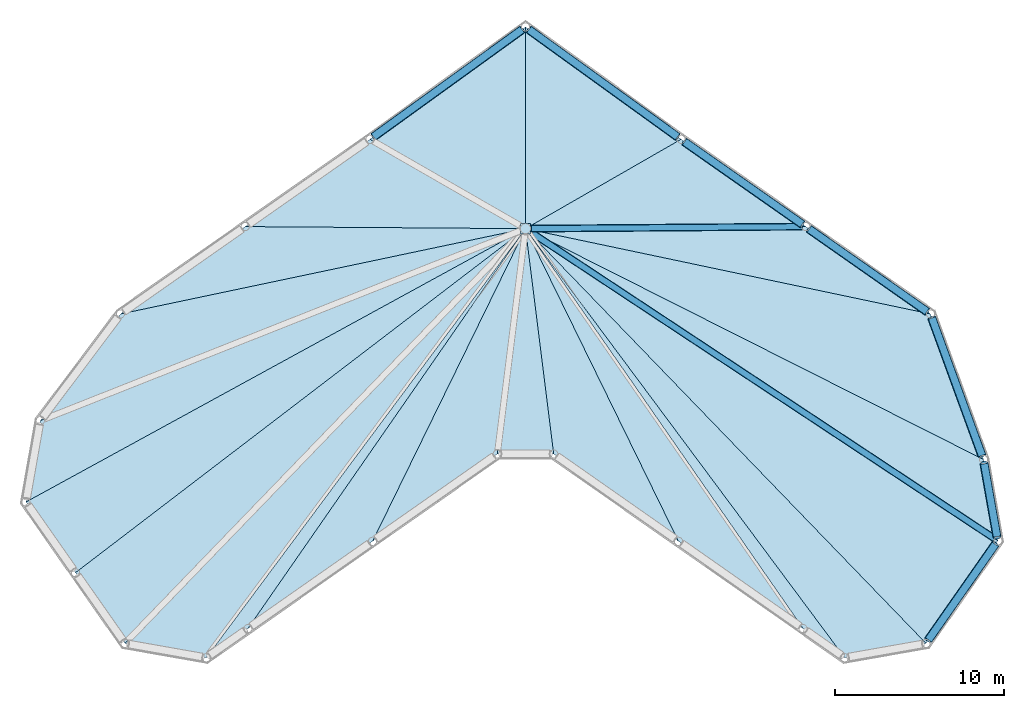
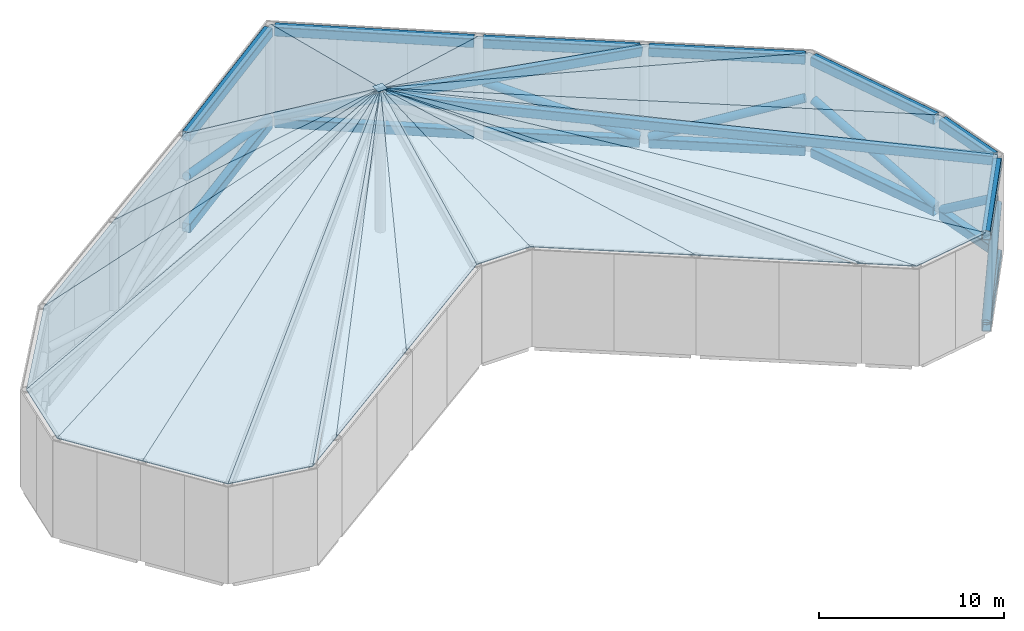
# One storey, part 3 of 4: 22 slabs, 14 beams, 9 members, 1 plate.
"""IFC4 building model written with IfcOpenShell, lengths in metres."""

from ifc_helpers import new_model, si_unit, direction, frame, origin, origin_2d, place, context, subcontext, project, spatial, polyline, rectangle, hollow_rectangle, hollow_circle, outline, extrude, material, layer, layer_set, material_profile, profile_set, type_object, element, save


model = new_model("IFC4")

# Units and contexts
model_context = context("Model", 3, precision=1e-05, world=origin(), true_north=direction((0.0, 1.0)))
body_context = subcontext(model_context, "Body", "Model", "MODEL_VIEW")
ifc_project = project(units=[si_unit("LENGTHUNIT", "METRE"), si_unit("AREAUNIT", "SQUARE_METRE"), si_unit("VOLUMEUNIT", "CUBIC_METRE"), si_unit("PLANEANGLEUNIT", "RADIAN"), si_unit("MASSUNIT", "GRAM", prefix="KILO")], contexts=[model_context])

# Site, building, storey
site_placement = place(None, origin())
site = spatial("IfcSite", under=ifc_project, at=site_placement, CompositionType="ELEMENT")
building_placement = place(site_placement, origin())
building = spatial("IfcBuilding", under=site, at=building_placement, Name="Tel Ilan Convention Tower", CompositionType="ELEMENT")
storey_placement = place(building_placement, frame((0.0, 0.0, 338.800048828125)))
storey = spatial("IfcBuildingStorey", under=building, at=storey_placement, Name="L80", CompositionType="ELEMENT", Elevation=338.800048828125)

# Members
ifc_material_1 = material(Name="Steel S355", Category="steel")
ifc_material_profile_1 = material_profile(ifc_material_1, hollow_circle(Radius=0.25390625, WallThickness=0.01611328125, at=origin_2d()), Name="CHS 508x16")
ifc_profile_set_1 = profile_set([ifc_material_profile_1], Name="Steel S355")
member_type_1 = type_object("IfcMemberType", Name="CROWN FRAME BRACE CHS 508x16", PredefinedType="BRACE", material=ifc_profile_set_1)
member_1_placement = place(storey_placement, frame((23.817626953125, -24.302978515625, 0.300048828125), z_axis=(0.523130317084, 0.747061363029, 0.410163371373), x_axis=(-0.81913539389, 0.573600214851, 0.0)))
element("IfcMember", 1, at=member_1_placement, inside=storey, type_object=member_type_1, Name="CROWN FRAME brace", PredefinedType="BRACE", context=body_context, shape_type="SweptSolid", body=[
    extrude(hollow_circle(Radius=0.25390625, WallThickness=0.01611328125, at=origin_2d()), origin(), (0.0, 0.0, 1.0), 7.5576171875),
])
member_2_placement = place(storey_placement, frame((27.872802734375, -18.198974609375, 3.39990234375), z_axis=(-0.14159546436, 0.803331024153, -0.578454829789), x_axis=(-0.984818960578, -0.173584604405, 0.0)))
element("IfcMember", 2, at=member_2_placement, inside=storey, type_object=member_type_1, Name="CROWN FRAME brace", PredefinedType="BRACE", context=body_context, shape_type="SweptSolid", body=[
    extrude(hollow_circle(Radius=0.25390625, WallThickness=0.01611328125, at=origin_2d()), origin(), (0.0, 0.0, 1.0), 5.35888671875),
])
member_3_placement = place(storey_placement, frame((26.983154296875, -13.4052734375, 0.300048828125), z_axis=(-0.322162255955, 0.88449101177, 0.337471674273), x_axis=(-0.939612751601, -0.342239502439, 0.0)))
element("IfcMember", 3, at=member_3_placement, inside=storey, type_object=member_type_1, Name="CROWN FRAME brace", PredefinedType="BRACE", context=body_context, shape_type="SweptSolid", body=[
    extrude(hollow_circle(Radius=0.25390625, WallThickness=0.01611328125, at=origin_2d()), origin(), (0.0, 0.0, 1.0), 9.185546875),
])
member_4_placement = place(storey_placement, frame((23.72900390625, -4.896240234375, 3.39990234375), z_axis=(-0.769444475923, 0.538870387217, -0.342890513506), x_axis=(-0.573647554936, -0.819102241918, 0.0)))
element("IfcMember", 4, at=member_4_placement, inside=storey, type_object=member_type_1, Name="CROWN FRAME brace", PredefinedType="BRACE", context=body_context, shape_type="SweptSolid", body=[
    extrude(hollow_circle(Radius=0.25390625, WallThickness=0.01611328125, at=origin_2d()), origin(), (0.0, 0.0, 1.0), 9.040283203125),
])
member_5_placement = place(storey_placement, frame((16.35693359375, 0.2666015625, 0.300048828125), z_axis=(-0.769478248606, 0.538804922947, 0.342917599331), x_axis=(-0.573583902989, -0.819146816042, 0.0)))
element("IfcMember", 5, at=member_5_placement, inside=storey, type_object=member_type_1, Name="CROWN FRAME brace", PredefinedType="BRACE", context=body_context, shape_type="SweptSolid", body=[
    extrude(hollow_circle(Radius=0.25390625, WallThickness=0.01611328125, at=origin_2d()), origin(), (0.0, 0.0, 1.0), 9.03955078125),
])
for number, where, z_axis, x_axis, name in (
    (6, (8.987060546875, 5.431640625, 3.39990234375), (-0.779553830179, 0.562639026819, -0.275196568571), (-0.585236177645, -0.810862883831, 0.0), "CROWN FRAME brace"),
    (7, (-0.2060546875, 11.769287109375, 0.300048828125), (-0.779553830179, -0.562639026819, 0.275196568571), (0.585236177645, -0.810862883831, 0.0), "CROWN FRAME brace"),
):
    element("IfcMember", number, at=place(storey_placement, frame(where, z_axis=z_axis, x_axis=x_axis)), inside=storey, type_object=member_type_1, Name=name, PredefinedType="BRACE", context=body_context, shape_type="SweptSolid", body=[
        extrude(hollow_circle(Radius=0.25390625, WallThickness=0.01611328125, at=origin_2d()), origin(), (0.0, 0.0, 1.0), 11.26416015625),
    ])
ifc_material_2 = material(Name="Steel S355", Category="steel")
ifc_material_profile_2 = material_profile(ifc_material_2, hollow_rectangle(XDim=0.39990234375, YDim=0.60009765625, WallThickness=0.02001953125, InnerFilletRadius=0.02001953125, OuterFilletRadius=0.0400390625, at=origin_2d()), Name="RHS 600x400x20")
ifc_profile_set_2 = profile_set([ifc_material_profile_2], Name="Steel S355")
member_type_2 = type_object("IfcMemberType", Name="CROWN FRAME RAFTER RHS 600x400x20", PredefinedType="BRACE", material=ifc_profile_set_2)
member_6_placement = place(storey_placement, frame((27.705078125, -18.30908203125, 6.099853515625), z_axis=(-0.831486899703, 0.549490688935, 0.081789476073), x_axis=(-0.551337875747, -0.834282054683, 0.0)))
element("IfcMember", 8, at=member_6_placement, inside=storey, type_object=member_type_2, Name="CROWN FRAME rafter", PredefinedType="BRACE", context=body_context, shape_type="SweptSolid", body=[
    extrude(hollow_rectangle(XDim=0.39990234375, YDim=0.60009765625, WallThickness=0.02001953125, InnerFilletRadius=0.02001953125, OuterFilletRadius=0.0400390625, at=origin_2d()), origin(), (0.0, 0.0, 1.0), 33.013916015625),
])
member_7_placement = place(storey_placement, frame((16.31103515625, 0.119140625, 6.099853515625), z_axis=(-0.986041617354, -0.00720419052, 0.166343104711), x_axis=(0.007305977883, -0.999973310987, 0.0)))
element("IfcMember", 9, at=member_7_placement, inside=storey, type_object=member_type_2, Name="CROWN FRAME rafter", PredefinedType="BRACE", context=body_context, shape_type="SweptSolid", body=[
    extrude(hollow_rectangle(XDim=0.39990234375, YDim=0.60009765625, WallThickness=0.02001953125, InnerFilletRadius=0.02001953125, OuterFilletRadius=0.0400390625, at=origin_2d()), origin(), (0.0, 0.0, 1.0), 16.232666015625),
])

# Beams
ifc_material_3 = material(Name="Steel S355", Category="steel")
ifc_material_profile_3 = material_profile(ifc_material_3, hollow_rectangle(XDim=0.5, YDim=0.60009765625, WallThickness=0.02490234375, InnerFilletRadius=0.02490234375, OuterFilletRadius=0.050048828125, at=origin_2d()), Name="RHS 600x500x25")
ifc_profile_set_3 = profile_set([ifc_material_profile_3], Name="Steel S355")
beam_type = type_object("IfcBeamType", Name="CROWN FRAME RING BEAM RHS 600x500x25", PredefinedType="BEAM", material=ifc_profile_set_3)
for number, where, z_axis, x_axis, name in (
    (10, (23.817626953125, -24.302978515625, 0.0), (0.573600214851, 0.81913539389, 0.0), (-0.81913539389, 0.573600214851, 0.0), "CROWN FRAME ring beam"),
    (11, (23.817626953125, -24.302978515625, 6.050048828125), (0.573600214851, 0.81913539389, 0.0), (-0.81913539389, 0.573600214851, 0.0), "CROWN FRAME ring beam"),
):
    element("IfcBeam", number, at=place(storey_placement, frame(where, z_axis=z_axis, x_axis=x_axis)), inside=storey, type_object=beam_type, Name=name, PredefinedType="BEAM", context=body_context, shape_type="SweptSolid", body=[
        extrude(hollow_rectangle(XDim=0.5, YDim=0.60009765625, WallThickness=0.02490234375, InnerFilletRadius=0.02490234375, OuterFilletRadius=0.050048828125, at=origin_2d()), origin(), (0.0, 0.0, 1.0), 6.892578125),
    ])
for number, where, z_axis, x_axis, name in (
    (12, (27.872802734375, -18.198974609375, 0.0), (-0.173584604405, 0.984818960578, 0.0), (-0.984818960578, -0.173584604405, 0.0), "CROWN FRAME ring beam"),
    (13, (27.872802734375, -18.198974609375, 6.050048828125), (-0.173584604405, 0.984818960578, 0.0), (-0.984818960578, -0.173584604405, 0.0), "CROWN FRAME ring beam"),
):
    element("IfcBeam", number, at=place(storey_placement, frame(where, z_axis=z_axis, x_axis=x_axis)), inside=storey, type_object=beam_type, Name=name, PredefinedType="BEAM", context=body_context, shape_type="SweptSolid", body=[
        extrude(hollow_rectangle(XDim=0.5, YDim=0.60009765625, WallThickness=0.02490234375, InnerFilletRadius=0.02490234375, OuterFilletRadius=0.050048828125, at=origin_2d()), origin(), (0.0, 0.0, 1.0), 4.371337890625),
    ])
for number, where, z_axis, x_axis, name in (
    (14, (26.983154296875, -13.4052734375, 0.0), (-0.342239502439, 0.939612751601, 0.0), (-0.939612751601, -0.342239502439, 0.0), "CROWN FRAME ring beam"),
    (15, (26.983154296875, -13.4052734375, 6.050048828125), (-0.342239502439, 0.939612751601, 0.0), (-0.939612751601, -0.342239502439, 0.0), "CROWN FRAME ring beam"),
):
    element("IfcBeam", number, at=place(storey_placement, frame(where, z_axis=z_axis, x_axis=x_axis)), inside=storey, type_object=beam_type, Name=name, PredefinedType="BEAM", context=body_context, shape_type="SweptSolid", body=[
        extrude(hollow_rectangle(XDim=0.5, YDim=0.60009765625, WallThickness=0.02490234375, InnerFilletRadius=0.02490234375, OuterFilletRadius=0.050048828125, at=origin_2d()), origin(), (0.0, 0.0, 1.0), 8.646728515625),
    ])
for number, where, z_axis, x_axis, name in (
    (16, (23.72900390625, -4.896240234375, 0.0), (-0.819102241918, 0.573647554936, 0.0), (-0.573647554936, -0.819102241918, 0.0), "CROWN FRAME ring beam"),
    (17, (23.72900390625, -4.896240234375, 6.050048828125), (-0.819102241918, 0.573647554936, 0.0), (-0.573647554936, -0.819102241918, 0.0), "CROWN FRAME ring beam"),
):
    element("IfcBeam", number, at=place(storey_placement, frame(where, z_axis=z_axis, x_axis=x_axis)), inside=storey, type_object=beam_type, Name=name, PredefinedType="BEAM", context=body_context, shape_type="SweptSolid", body=[
        extrude(hollow_rectangle(XDim=0.5, YDim=0.60009765625, WallThickness=0.02490234375, InnerFilletRadius=0.02490234375, OuterFilletRadius=0.050048828125, at=origin_2d()), origin(), (0.0, 0.0, 1.0), 8.4921875),
    ])
for number, where, z_axis, x_axis, name in (
    (18, (16.35693359375, 0.2666015625, 0.0), (-0.819146816042, 0.573583902989, 0.0), (-0.573583902989, -0.819146816042, 0.0), "CROWN FRAME ring beam"),
    (19, (16.35693359375, 0.2666015625, 6.050048828125), (-0.819146816042, 0.573583902989, 0.0), (-0.573583902989, -0.819146816042, 0.0), "CROWN FRAME ring beam"),
):
    element("IfcBeam", number, at=place(storey_placement, frame(where, z_axis=z_axis, x_axis=x_axis)), inside=storey, type_object=beam_type, Name=name, PredefinedType="BEAM", context=body_context, shape_type="SweptSolid", body=[
        extrude(hollow_rectangle(XDim=0.5, YDim=0.60009765625, WallThickness=0.02490234375, InnerFilletRadius=0.02490234375, OuterFilletRadius=0.050048828125, at=origin_2d()), origin(), (0.0, 0.0, 1.0), 8.491455078125),
    ])
for number, where, z_axis, x_axis, name in (
    (20, (8.987060546875, 5.431640625, 0.0), (-0.810862883831, 0.585236177645, 0.0), (-0.585236177645, -0.810862883831, 0.0), "CROWN FRAME ring beam"),
    (21, (8.987060546875, 5.431640625, 6.050048828125), (-0.810862883831, 0.585236177645, 0.0), (-0.585236177645, -0.810862883831, 0.0), "CROWN FRAME ring beam"),
    (22, (-0.2060546875, 11.769287109375, 0.0), (-0.810862883831, -0.585236177645, 0.0), (0.585236177645, -0.810862883831, 0.0), "CROWN FRAME ring beam"),
    (23, (-0.2060546875, 11.769287109375, 6.050048828125), (-0.810862883831, -0.585236177645, 0.0), (0.585236177645, -0.810862883831, 0.0), "CROWN FRAME ring beam"),
):
    element("IfcBeam", number, at=place(storey_placement, frame(where, z_axis=z_axis, x_axis=x_axis)), inside=storey, type_object=beam_type, Name=name, PredefinedType="BEAM", context=body_context, shape_type="SweptSolid", body=[
        extrude(hollow_rectangle(XDim=0.5, YDim=0.60009765625, WallThickness=0.02490234375, InnerFilletRadius=0.02490234375, OuterFilletRadius=0.050048828125, at=origin_2d()), origin(), (0.0, 0.0, 1.0), 10.8291015625),
    ])

# Slabs
ifc_material_4 = material(Name="Glass, bronze tinted, two-ply roof", Category="glass")
ifc_layer_1 = layer(ifc_material_4, 0.050048828125)
ifc_layer_set_1 = layer_set([ifc_layer_1], Name="GLASS ROOF PANEL 50")
slab_type = type_object("IfcSlabType", Name="GLASS ROOF PANEL 50", PredefinedType="ROOF", material=ifc_layer_set_1)
slab_1_placement = place(storey_placement, frame((-18.866943359375, -25.35791015625, 6.39990234375), z_axis=(0.165667731922, -0.236527174644, 0.957397043162), x_axis=(0.819071300748, 0.573691732807, 0.0)))
element("IfcSlab", 24, at=slab_1_placement, inside=storey, type_object=slab_type, Name="Glass roof panel", PredefinedType="ROOF", context=body_context, shape_type="SweptSolid", body=[
    extrude(outline(polyline([(0.0, 0.0), (2.9997770008016813, -2.220446049250313e-16), (30.00099525640606, 10.388717093241718), (0.0, 0.0)])), origin(), (0.0, -0.288774828795, -0.957397043162), 0.05224609375),
])
slab_2_placement = place(storey_placement, frame((-16.409912109375, -23.636962890625, 6.39990234375), z_axis=(0.165579806055, -0.236469859709, 0.957426411415), x_axis=(0.819149069501, 0.573580684765, 0.0)))
element("IfcSlab", 25, at=slab_2_placement, inside=storey, type_object=slab_type, Name="Glass roof panel", PredefinedType="ROOF", context=body_context, shape_type="SweptSolid", body=[
    extrude(outline(polyline([(0.0, 0.0), (8.999370745012705, 0.0), (26.999869595554188, 10.39222170439335), (0.0, 0.0)])), origin(), (0.0, -0.288677444086, -0.957426411415), 0.05224609375),
])
slab_3_placement = place(storey_placement, frame((-9.0380859375, -18.47509765625, 6.39990234375), z_axis=(0.165551407379, -0.236457269336, 0.957434431851), x_axis=(0.819180943758, 0.573535161418, 0.0)))
element("IfcSlab", 26, at=slab_3_placement, inside=storey, type_object=slab_type, Name="Glass roof panel", PredefinedType="ROOF", context=body_context, shape_type="SweptSolid", body=[
    extrude(outline(polyline([(0.0, 0.0), (9.000510731086884, 8.881784197001252e-16), (17.999945884545447, 10.393179444955475), (0.0, 0.0)])), origin(), (0.0, -0.288650842207, -0.957434431851), 0.05224609375),
])
slab_4_placement = place(storey_placement, frame((-1.6650390625, -13.31298828125, 6.39990234375), z_axis=(0.0, -0.219831456355, 0.975537867434), x_axis=(1.0, 0.0, 0.0)))
element("IfcSlab", 27, at=slab_4_placement, inside=storey, type_object=slab_type, Name="Glass roof panel", PredefinedType="ROOF", context=body_context, shape_type="SweptSolid", body=[
    extrude(outline(polyline([(0.0, 0.0), (3.330078125, 0.0), (1.6650390625, 13.646818566123747), (0.0, 0.0)])), origin(), (0.0, -0.219831456355, -0.975537867434), 0.05126953125),
])
slab_5_placement = place(storey_placement, frame((1.6650390625, -13.31298828125, 6.39990234375), z_axis=(-0.165551407379, -0.236457269336, 0.957434431851), x_axis=(0.819180943758, -0.573535161418, 0.0)))
element("IfcSlab", 28, at=slab_5_placement, inside=storey, type_object=slab_type, Name="Glass roof panel", PredefinedType="ROOF", context=body_context, shape_type="SweptSolid", body=[
    extrude(outline(polyline([(0.0, 0.0), (9.000510731086884, -8.881784197001252e-16), (-8.99943515345856, 10.393179444955475), (0.0, 0.0)])), origin(), (0.0, -0.288650842207, -0.957434431851), 0.05224609375),
])
slab_6_placement = place(storey_placement, frame((9.0380859375, -18.47509765625, 6.39990234375), z_axis=(-0.165579806055, -0.236469859709, 0.957426411415), x_axis=(0.819149069501, -0.573580684765, 0.0)))
element("IfcSlab", 29, at=slab_6_placement, inside=storey, type_object=slab_type, Name="Glass roof panel", PredefinedType="ROOF", context=body_context, shape_type="SweptSolid", body=[
    extrude(outline(polyline([(0.0, 0.0), (8.999370745012705, 0.0), (-18.000498850541483, 10.392221704393352), (0.0, 0.0)])), origin(), (0.0, -0.288677444086, -0.957426411415), 0.05224609375),
])
slab_7_placement = place(storey_placement, frame((16.409912109375, -23.636962890625, 6.39990234375), z_axis=(-0.165667731922, -0.236527174644, 0.957397043162), x_axis=(0.819071300748, -0.573691732807, 0.0)))
element("IfcSlab", 30, at=slab_7_placement, inside=storey, type_object=slab_type, Name="Glass roof panel", PredefinedType="ROOF", context=body_context, shape_type="SweptSolid", body=[
    extrude(outline(polyline([(0.0, 0.0), (2.9997770008016813, 2.220446049250313e-16), (-27.00121825560438, 10.388717093241715), (0.0, 0.0)])), origin(), (0.0, -0.288774828795, -0.957397043162), 0.05224609375),
])
slab_8_placement = place(storey_placement, frame((18.866943359375, -25.35791015625, 6.39990234375), z_axis=(0.018331263537, -0.104005744862, 0.994407748267), x_axis=(0.984820308634, 0.173576956135, 0.0)))
element("IfcSlab", 31, at=slab_8_placement, inside=storey, type_object=slab_type, Name="Glass roof panel", PredefinedType="ROOF", context=body_context, shape_type="SweptSolid", body=[
    extrude(outline(polyline([(0.0, 0.0), (4.879241156097683, 0.0), (-14.179000123296664, 28.406708973794633), (0.0, 0.0)])), origin(), (0.0, -0.105608854682, -0.994407748267), 0.05029296875),
])
slab_9_placement = place(storey_placement, frame((23.672119140625, -24.510986328125, 6.39990234375), z_axis=(0.073171382621, -0.0512376492, 0.996002335374), x_axis=(0.57359518201, 0.819138918118, 0.0)))
element("IfcSlab", 32, at=slab_9_placement, inside=storey, type_object=slab_type, Name="Glass roof panel", PredefinedType="ROOF", context=body_context, shape_type="SweptSolid", body=[
    extrude(outline(polyline([(0.0, 0.0), (7.400468448844855, 0.0), (6.499689335783875, 33.58439688194166), (0.0, 0.0)])), origin(), (0.0, -0.089327195916, -0.996002335374), 0.05029296875),
])
slab_10_placement = place(storey_placement, frame((27.9169921875, -18.448974609375, 6.39990234375), z_axis=(0.120711956334, 0.021276854658, 0.992459530184), x_axis=(-0.173585509912, 0.984818800972, 0.0)))
element("IfcSlab", 33, at=slab_10_placement, inside=storey, type_object=slab_type, Name="Glass roof panel", PredefinedType="ROOF", context=body_context, shape_type="SweptSolid", body=[
    extrude(outline(polyline([(0.0, 0.0), (4.879000721636057, -1.1102230246251565e-16), (23.01488237804416, 24.47525906010173), (0.0, 0.0)])), origin(), (0.0, -0.122572757765, -0.992459530184), 0.05029296875),
])
slab_11_placement = place(storey_placement, frame((27.070068359375, -13.64404296875, 6.39990234375), z_axis=(0.134348161417, 0.048932563872, 0.989725303161), x_axis=(-0.342229073799, 0.939616550007, 0.0)))
element("IfcSlab", 34, at=slab_11_placement, inside=storey, type_object=slab_type, Name="Glass roof panel", PredefinedType="ROOF", context=body_context, shape_type="SweptSolid", body=[
    extrude(outline(polyline([(0.0, 0.0), (9.154852350342312, 0.0), (22.084333004747734, 20.9816764165722), (0.0, 0.0)])), origin(), (0.0, -0.142981901943, -0.989725303161), 0.050537109375),
])
slab_12_placement = place(storey_placement, frame((23.93701171875, -5.0419921875, 6.39990234375), z_axis=(0.17107866683, 0.244273284641, 0.954496019985), x_axis=(-0.819094264743, 0.57365894525, 0.0)))
element("IfcSlab", 35, at=slab_12_placement, inside=storey, type_object=slab_type, Name="Glass roof panel", PredefinedType="ROOF", context=body_context, shape_type="SweptSolid", body=[
    extrude(outline(polyline([(0.0, 0.0), (9.00027094539126, 0.0), (22.499052934147485, 10.05956422062186), (0.0, 0.0)])), origin(), (0.0, -0.298223654048, -0.954496019985), 0.052490234375),
])
slab_13_placement = place(storey_placement, frame((16.56494140625, 0.12109375, 6.39990234375), z_axis=(0.17107626331, 0.244319527533, 0.954484615171), x_axis=(-0.819149069501, 0.573580684765, 0.0)))
element("IfcSlab", 36, at=slab_13_placement, inside=storey, type_object=slab_type, Name="Glass roof panel", PredefinedType="ROOF", context=body_context, shape_type="SweptSolid", body=[
    extrude(outline(polyline([(0.0, 0.0), (8.999370745012705, 0.0), (13.499699303228677, 10.058333172608272), (0.0, 0.0)])), origin(), (0.0, -0.298260153896, -0.954484615171), 0.052490234375),
])
slab_14_placement = place(storey_placement, frame((9.193115234375, 5.282958984375, 6.39990234375), z_axis=(0.173507955322, 0.2404033579, 0.955039902282), x_axis=(-0.810866005155, 0.58523185293, 0.0)))
element("IfcSlab", 37, at=slab_14_placement, inside=storey, type_object=slab_type, Name="Glass roof panel", PredefinedType="ROOF", context=body_context, shape_type="SweptSolid", body=[
    extrude(outline(polyline([(0.0, 0.0), (11.337403684373104, 0.0), (4.362628749644648, 10.118818791531957), (0.0, 0.0)])), origin(), (0.0, -0.296477292637, -0.955039902282), 0.05224609375),
])
slab_15_placement = place(storey_placement, frame((0.0, 11.91796875, 6.39990234375), z_axis=(-0.173507955322, 0.2404033579, 0.955039902282), x_axis=(-0.810866005155, -0.58523185293, 0.0)))
element("IfcSlab", 38, at=slab_15_placement, inside=storey, type_object=slab_type, Name="Glass roof panel", PredefinedType="ROOF", context=body_context, shape_type="SweptSolid", body=[
    extrude(outline(polyline([(0.0, 0.0), (11.337403684373104, 0.0), (6.974774934728456, 10.118818791531956), (0.0, 0.0)])), origin(), (0.0, -0.296477292637, -0.955039902282), 0.05224609375),
])
slab_16_placement = place(storey_placement, frame((-9.193115234375, 5.282958984375, 6.39990234375), z_axis=(-0.17107626331, 0.244319527533, 0.954484615171), x_axis=(-0.819149069501, -0.573580684765, 0.0)))
element("IfcSlab", 39, at=slab_16_placement, inside=storey, type_object=slab_type, Name="Glass roof panel", PredefinedType="ROOF", context=body_context, shape_type="SweptSolid", body=[
    extrude(outline(polyline([(0.0, 0.0), (8.999370745012705, 0.0), (-4.5003285582159736, 10.058333172608274), (0.0, 0.0)])), origin(), (0.0, -0.298260153896, -0.954484615171), 0.052490234375),
])
slab_17_placement = place(storey_placement, frame((-16.56494140625, 0.12109375, 6.39990234375), z_axis=(-0.17107866683, 0.244273284641, 0.954496019985), x_axis=(-0.819094264743, -0.57365894525, 0.0)))
element("IfcSlab", 40, at=slab_17_placement, inside=storey, type_object=slab_type, Name="Glass roof panel", PredefinedType="ROOF", context=body_context, shape_type="SweptSolid", body=[
    extrude(outline(polyline([(0.0, 0.0), (9.00027094539126, 0.0), (-13.498781988756221, 10.059564220621857), (0.0, 0.0)])), origin(), (0.0, -0.298223654048, -0.954496019985), 0.052490234375),
])
slab_18_placement = place(storey_placement, frame((-23.93701171875, -5.0419921875, 6.39990234375), z_axis=(-0.146373027788, 0.109963884294, 0.983098611985), x_axis=(-0.60064342971, -0.799517023175, 0.0)))
element("IfcSlab", 41, at=slab_18_placement, inside=storey, type_object=slab_type, Name="Glass roof panel", PredefinedType="ROOF", context=body_context, shape_type="SweptSolid", body=[
    extrude(outline(polyline([(0.0, 0.0), (7.889895131564921, 0.0), (-18.40876740037781, 16.386564558844334), (0.0, 0.0)])), origin(), (0.0, -0.183076812057, -0.983098611985), 0.05078125),
])
slab_19_placement = place(storey_placement, frame((-28.676025390625, -11.35009765625, 6.39990234375), z_axis=(-0.111736780207, 0.019694877828, 0.993542653204), x_axis=(-0.173585509912, -0.984818800972, 0.0)))
element("IfcSlab", 42, at=slab_19_placement, inside=storey, type_object=slab_type, Name="Glass roof panel", PredefinedType="ROOF", context=body_context, shape_type="SweptSolid", body=[
    extrude(outline(polyline([(0.0, 0.0), (4.879000721636057, 0.0), (-16.155532054421535, 26.441216557653693), (0.0, 0.0)])), origin(), (0.0, -0.113459227319, -0.993542653204), 0.05029296875),
])
slab_20_placement = place(storey_placement, frame((-29.52294921875, -16.155029296875, 6.39990234375), z_axis=(-0.073175807695, -0.051231189855, 0.996002342545), x_axis=(0.573523384299, -0.819189189176, 0.0)))
element("IfcSlab", 43, at=slab_20_placement, inside=storey, type_object=slab_type, Name="Glass roof panel", PredefinedType="ROOF", context=body_context, shape_type="SweptSolid", body=[
    extrude(outline(polyline([(0.0, 0.0), (5.100138735754109, -4.440892098500626e-16), (3.698076399616534, 33.58442694312917), (0.0, 0.0)])), origin(), (0.0, -0.08932711596, -0.996002342545), 0.05029296875),
])
slab_21_placement = place(storey_placement, frame((-26.597900390625, -20.3330078125, 6.39990234375), z_axis=(-0.073169423344, -0.05123954709, 0.996002381675), x_axis=(0.573619743699, -0.819121718451, 0.0)))
element("IfcSlab", 44, at=slab_21_placement, inside=storey, type_object=slab_type, Name="Glass roof panel", PredefinedType="ROOF", context=body_context, shape_type="SweptSolid", body=[
    extrude(outline(polyline([(0.0, 0.0), (5.1005588321159125, 0.0), (-1.398127495657894, 33.58459098156), (0.0, 0.0)])), origin(), (0.0, -0.089326679656, -0.996002381675), 0.05029296875),
])
slab_22_placement = place(storey_placement, frame((-23.672119140625, -24.510986328125, 6.39990234375), z_axis=(-0.018331263537, -0.104005744862, 0.994407748267), x_axis=(0.984820308634, -0.173576956135, 0.0)))
element("IfcSlab", 45, at=slab_22_placement, inside=storey, type_object=slab_type, Name="Glass roof panel", PredefinedType="ROOF", context=body_context, shape_type="SweptSolid", body=[
    extrude(outline(polyline([(0.0, 0.0), (4.879241156097683, 0.0), (19.058241279394345, 28.406708973794633), (0.0, 0.0)])), origin(), (0.0, -0.105608854682, -0.994407748267), 0.05029296875),
])

# Plate
ifc_material_5 = material(Name="Steel S355", Category="steel")
ifc_layer_2 = layer(ifc_material_5, 0.02001953125)
ifc_layer_set_2 = layer_set([ifc_layer_2], Name="MAST CAP PLATE 20 S355")
plate_type = type_object("IfcPlateType", Name="MAST CAP PLATE 20", PredefinedType="SHEET", material=ifc_layer_set_2)
plate_placement = place(storey_placement, frame((0.0, 0.0, 9.39990234375), z_axis=(0.0, 0.0, 1.0), x_axis=(1.0, 0.0, 0.0)))
element("IfcPlate", 46, at=plate_placement, inside=storey, type_object=plate_type, Name="CROWN FRAME mast cap", PredefinedType="SHEET", context=body_context, shape_type="SweptSolid", body=[
    extrude(rectangle(XDim=0.610107421875, YDim=0.610107421875, at=origin_2d()), origin(), (0.0, 0.0, 1.0), 0.02001953125),
])

save(model, "model.ifc")
